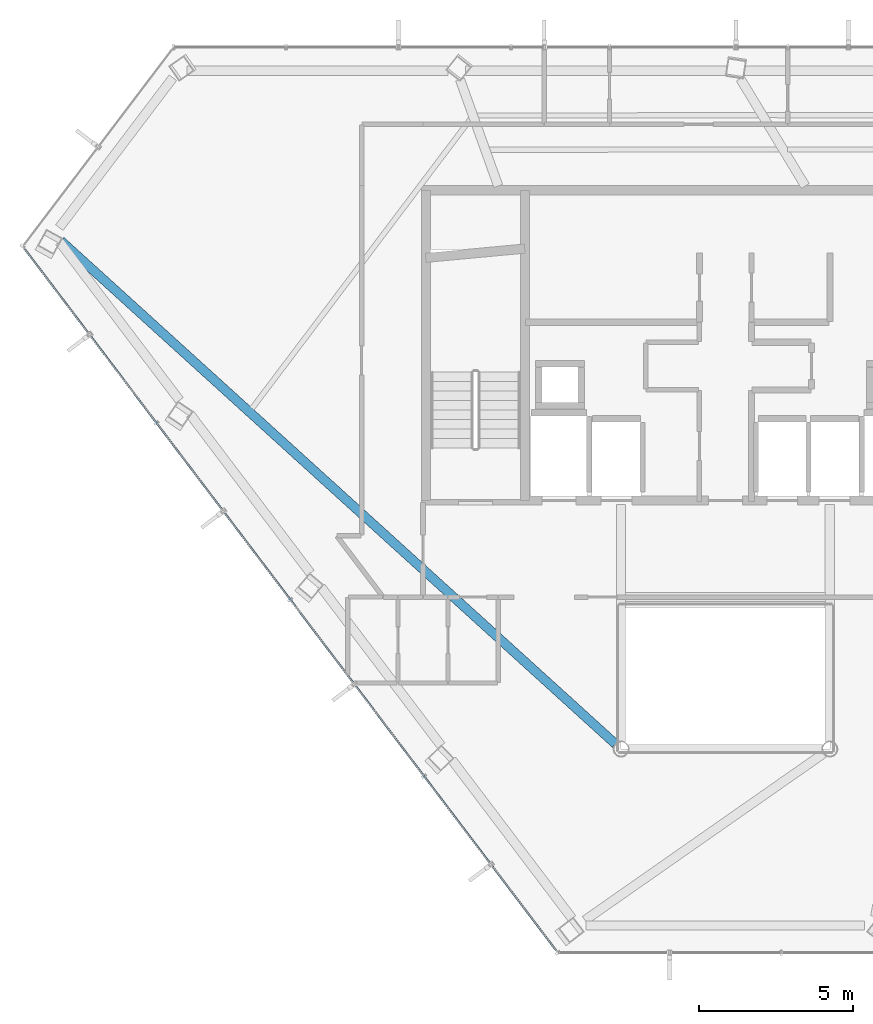
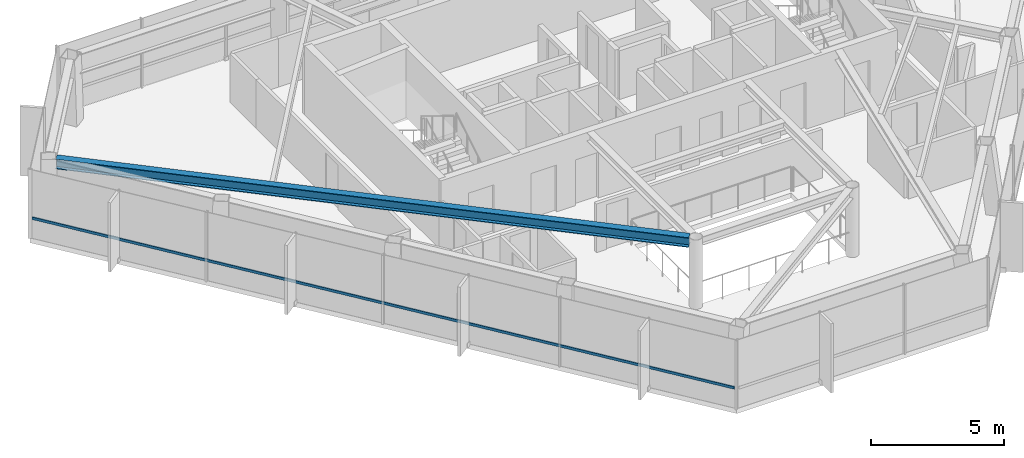
# One storey, part 4 of 25: 1 beam, 1 member, 1 element without a shape of its own.
"""IFC4 building model written with IfcOpenShell, lengths in metres."""

from ifc_helpers import new_model, si_unit, direction, frame, origin, origin_2d, place, context, subcontext, project, spatial, hollow_rectangle, i_section, extrude, material, layer, layer_set, material_profile, profile_set, type_object, element, aggregate, save


model = new_model("IFC4")

# Units and contexts
model_context = context("Model", 3, precision=1e-05, world=origin(), true_north=direction((0.0, 1.0)))
body_context = subcontext(model_context, "Body", "Model", "MODEL_VIEW")
ifc_project = project(units=[si_unit("LENGTHUNIT", "METRE"), si_unit("AREAUNIT", "SQUARE_METRE"), si_unit("VOLUMEUNIT", "CUBIC_METRE"), si_unit("PLANEANGLEUNIT", "RADIAN"), si_unit("MASSUNIT", "GRAM", prefix="KILO")], contexts=[model_context])

# Site, building, storey
site_placement = place(None, origin())
site = spatial("IfcSite", under=ifc_project, at=site_placement, CompositionType="ELEMENT")
building_placement = place(site_placement, origin())
building = spatial("IfcBuilding", under=site, at=building_placement, Name="Zarrinselat Tower", CompositionType="ELEMENT")
storey_placement = place(building_placement, frame((0.0, 0.0, 246.159912109375)))
storey = spatial("IfcBuildingStorey", under=building, at=storey_placement, Name="L62", CompositionType="ELEMENT", Elevation=246.159912109375)

# Beam
ifc_material_1 = material(Name="Steel S355J2", Category="steel")
ifc_material_profile_1 = material_profile(ifc_material_1, i_section(OverallWidth=0.300048828125, OverallDepth=0.449951171875, WebThickness=0.013916015625, FlangeThickness=0.02587890625, at=origin_2d()), Name="HEB 450")
ifc_profile_set_1 = profile_set([ifc_material_profile_1], Name="Steel S355J2")
beam_type = type_object("IfcBeamType", Name="BM-HEB450", PredefinedType="BEAM", material=ifc_profile_set_1)
beam_placement = place(storey_placement, frame((16.7548828125, 41.75146484375, 2.955078125), z_axis=(0.740643251129, -0.671898485306, 0.0), x_axis=(0.671898485306, 0.740643251129, 0.0)))
element("IfcBeam", 1, at=beam_placement, inside=storey, type_object=beam_type, Name="L62 Radial Primary Girder RG06", PredefinedType="BEAM", context=body_context, shape_type="SweptSolid", body=[
    extrude(i_section(OverallWidth=0.300048828125, OverallDepth=0.449951171875, WebThickness=0.013916015625, FlangeThickness=0.02587890625, at=origin_2d()), origin(), (0.0, 0.0, 1.0), 24.384033203125),
])

# Curtain wall, member
ifc_material_2 = material(Name="Extruded Aluminium Alloy EN AW-6063 T6", Category="aluminium")
ifc_layer = layer(ifc_material_2, 0.169921875)
ifc_layer_set = layer_set([ifc_layer], Name="Extruded Aluminium Alloy EN AW-6063 T6")
curtain_wall_type = type_object("IfcCurtainWallType", Name="CWS-RES", PredefinedType="NOTDEFINED", material=ifc_layer_set)
curtain_wall_placement = place(storey_placement, origin())
curtain_wall = element("IfcCurtainWall", 2, at=curtain_wall_placement, inside=storey, type_object=curtain_wall_type, Name="L62 Unitised Curtain Wall CW-L62-E03", PredefinedType="NOTDEFINED")
ifc_material_3 = material(Name="Extruded Aluminium Alloy EN AW-6063 T6", Category="aluminium")
ifc_material_profile_2 = material_profile(ifc_material_3, hollow_rectangle(XDim=0.06005859375, YDim=0.1201171875, WallThickness=0.00390625, at=origin_2d()), Name="RHS 120x60x4")
ifc_profile_set_2 = profile_set([ifc_material_profile_2], Name="Extruded Aluminium Alloy EN AW-6063 T6")
member_type = type_object("IfcMemberType", Name="MEM-CW-TRN2", PredefinedType="USERDEFINED", material=ifc_profile_set_2)
member_placement = place(storey_placement, frame((15.56201171875, 41.50390625, 0.9501953125), z_axis=(0.603860964609, -0.797089665861, 0.0), x_axis=(0.797089665861, 0.603860964609, 0.0)))
member = element("IfcMember", 3, at=member_placement, type_object=member_type, Name="CW-L62-E03 Transom 1", ObjectType="TRANSOM", PredefinedType="USERDEFINED", context=body_context, shape_type="SweptSolid", body=[
    extrude(hollow_rectangle(XDim=0.06005859375, YDim=0.1201171875, WallThickness=0.00390625, at=origin_2d()), origin(), (0.0, 0.0, 1.0), 28.691162109375),
])
aggregate(curtain_wall, [member])

save(model, "model.ifc")
